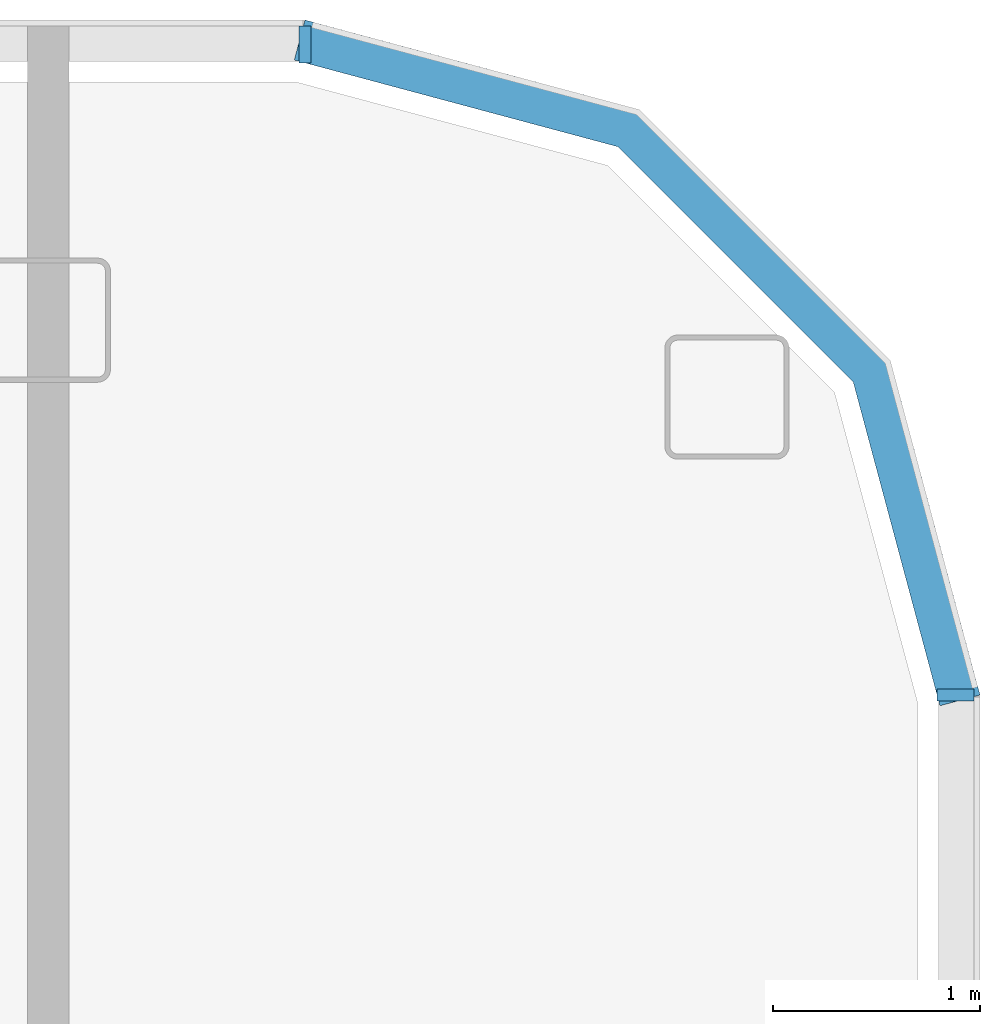
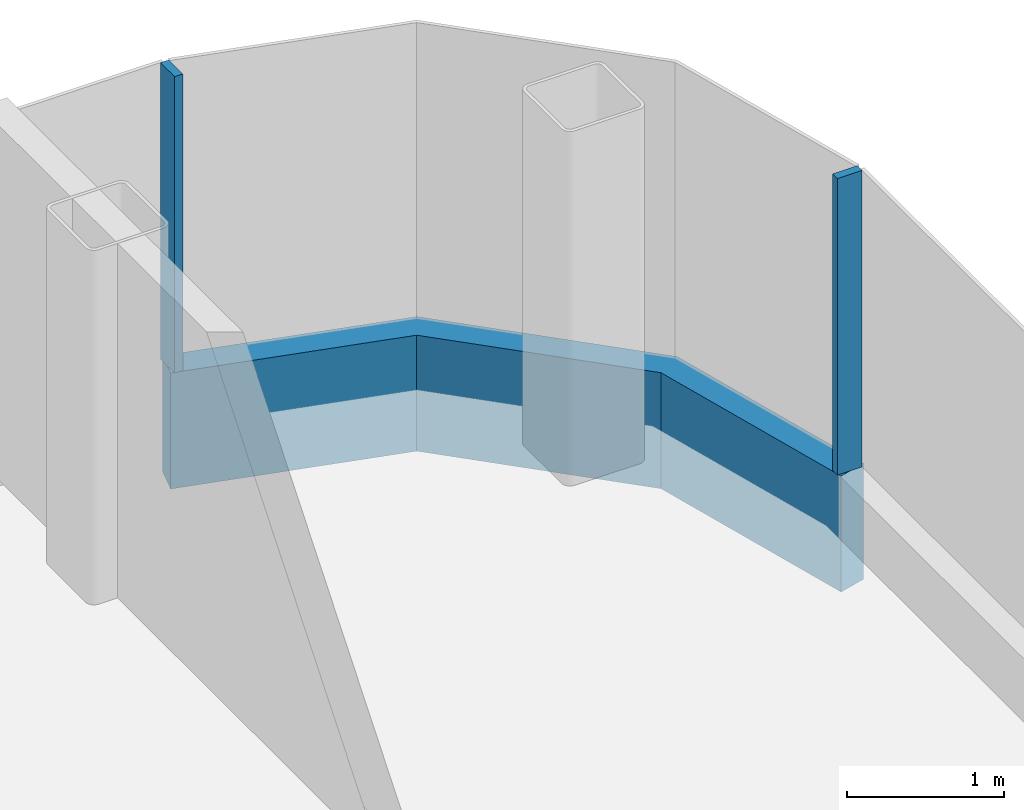
# One storey, part 11 of 26: 3 members, 3 elements without a shape of their own.
"""IFC4 building model written with IfcOpenShell, lengths in metres."""

from ifc_helpers import new_model, si_unit, direction, frame, origin, origin_2d, place, context, subcontext, project, spatial, polyline, rectangle, outline, extrude, material, layer, layer_set, material_profile, profile_set, type_object, element, aggregate, save


model = new_model("IFC4")

# Units and contexts
model_context = context("Model", 3, precision=1e-05, world=origin(), true_north=direction((0.0, 1.0)))
body_context = subcontext(model_context, "Body", "Model", "MODEL_VIEW")
ifc_project = project(units=[si_unit("LENGTHUNIT", "METRE"), si_unit("AREAUNIT", "SQUARE_METRE"), si_unit("VOLUMEUNIT", "CUBIC_METRE"), si_unit("PLANEANGLEUNIT", "RADIAN"), si_unit("MASSUNIT", "GRAM", prefix="KILO")], contexts=[model_context])

# Site, building, storey
site_placement = place(None, origin())
site = spatial("IfcSite", under=ifc_project, at=site_placement, CompositionType="ELEMENT")
building_placement = place(site_placement, origin())
building = spatial("IfcBuilding", under=site, at=building_placement, Name="Hakoniwa Tower and Hamabe Station Hall", CompositionType="ELEMENT")
storey_placement = place(building_placement, frame((0.0, 0.0, 209.0)))
storey = spatial("IfcBuildingStorey", under=building, at=storey_placement, Name="L59", CompositionType="ELEMENT", Elevation=209.0)

# Curtain wall, member
ifc_material_1 = material(Name="Dark low-e laminated glass", Category="glass")
ifc_layer = layer(ifc_material_1, 0.199951171875)
ifc_layer_set = layer_set([ifc_layer], Name="CW-1 UNITISED GUEST")
curtain_wall_type = type_object("IfcCurtainWallType", Name="CW-1 UNITISED GUEST", PredefinedType="NOTDEFINED", material=ifc_layer_set)
curtain_wall_1_placement = place(storey_placement, origin())
curtain_wall_1 = element("IfcCurtainWall", 1, at=curtain_wall_1_placement, inside=storey, type_object=curtain_wall_type, Name="CW-1 curtain wall", PredefinedType="NOTDEFINED")
ifc_material_2 = material(Name="Aluminium 6063-T5 black anodised", Category="aluminium")
ifc_material_profile_1 = material_profile(ifc_material_2, rectangle(XDim=0.199951171875, YDim=0.89990234375, at=origin_2d()), Name="CW SLAB-EDGE BAND 900X200")
ifc_profile_set_1 = profile_set([ifc_material_profile_1], Name="Aluminium 6063-T5 black anodised")
member_type_1 = type_object("IfcMemberType", Name="CW SLAB-EDGE BAND 900X200", PredefinedType="USERDEFINED", material=ifc_profile_set_1)
member_1_placement = place(storey_placement, frame((0.0, 0.0, -0.550048828125)))
member_1 = element("IfcMember", 2, at=member_1_placement, type_object=member_type_1, Name="CW-1 transom", ObjectType="TRANSOM", PredefinedType="USERDEFINED", context=body_context, shape_type="SweptSolid", body=[
    extrude(outline(polyline([(38.10009765625, 17.28955078125), (37.6669921875, 18.9052734375), (36.455322265625, 20.116943359375), (34.839599609375, 20.550048828125), (34.787841796875, 20.35693359375), (36.351806640625, 19.937744140625), (37.48779296875, 18.8017578125), (37.90673828125, 17.23779296875), (38.10009765625, 17.28955078125)])), origin(), (0.0, 0.0, 1.0), 0.900146484375),
])
aggregate(curtain_wall_1, [member_1])

curtain_wall_2_placement = place(storey_placement, origin())
curtain_wall_2 = element("IfcCurtainWall", 3, at=curtain_wall_2_placement, inside=storey, type_object=curtain_wall_type, Name="CW-1 curtain wall", PredefinedType="NOTDEFINED")
ifc_material_3 = material(Name="Aluminium 6063-T5 black anodised", Category="aluminium")
ifc_material_profile_2 = material_profile(ifc_material_3, rectangle(XDim=0.06005859375, YDim=0.179931640625, at=origin_2d()), Name="CW-1 MULLION 60X180")
ifc_profile_set_2 = profile_set([ifc_material_profile_2], Name="Aluminium 6063-T5 black anodised")
member_type_2 = type_object("IfcMemberType", Name="CW-1 MULLION 60X180", PredefinedType="MULLION", material=ifc_profile_set_2)
member_2_placement = place(storey_placement, frame((37.98193359375, 17.28955078125, 0.35009765625), z_axis=(0.0, 0.0, 1.0), x_axis=(0.0, 1.0, 0.0)))
member_2 = element("IfcMember", 4, at=member_2_placement, type_object=member_type_2, Name="CW-1 mullion", PredefinedType="MULLION", context=body_context, shape_type="SweptSolid", body=[
    extrude(rectangle(XDim=0.06005859375, YDim=0.179931640625, at=origin_2d()), origin(), (0.0, 0.0, 1.0), 2.2998046875),
])
aggregate(curtain_wall_2, [member_2])

curtain_wall_3_placement = place(storey_placement, origin())
curtain_wall_3 = element("IfcCurtainWall", 5, at=curtain_wall_3_placement, inside=storey, type_object=curtain_wall_type, Name="CW-1 curtain wall", PredefinedType="NOTDEFINED")
member_3_placement = place(storey_placement, frame((34.839599609375, 20.431884765625, 0.35009765625), z_axis=(0.0, 0.0, 1.0), x_axis=(-1.0, 0.0, 0.0)))
member_3 = element("IfcMember", 6, at=member_3_placement, type_object=member_type_2, Name="CW-1 mullion", PredefinedType="MULLION", context=body_context, shape_type="SweptSolid", body=[
    extrude(rectangle(XDim=0.06005859375, YDim=0.179931640625, at=origin_2d()), origin(), (0.0, 0.0, 1.0), 2.2998046875),
])
aggregate(curtain_wall_3, [member_3])

save(model, "model.ifc")
